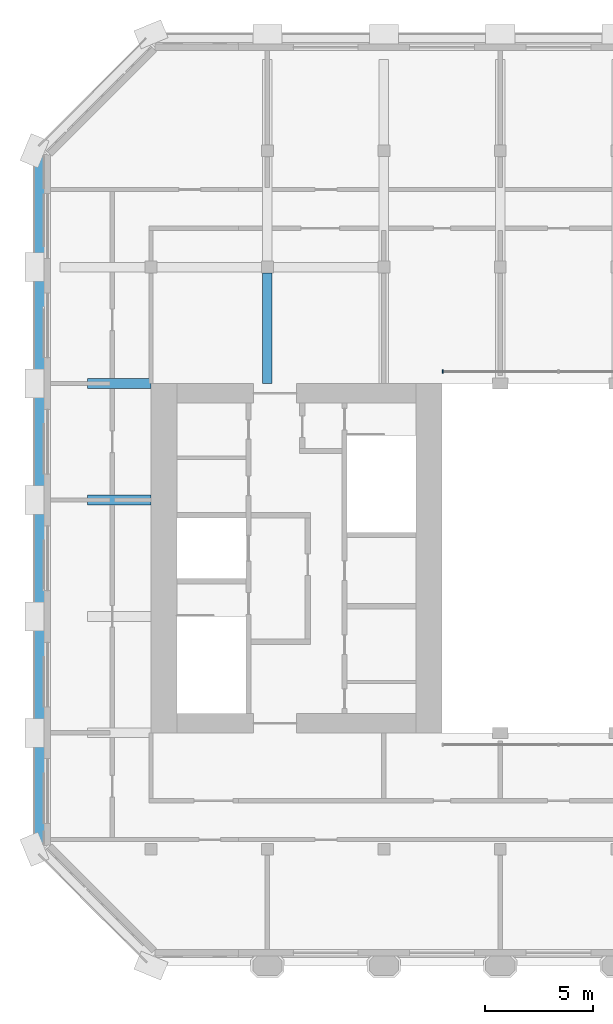
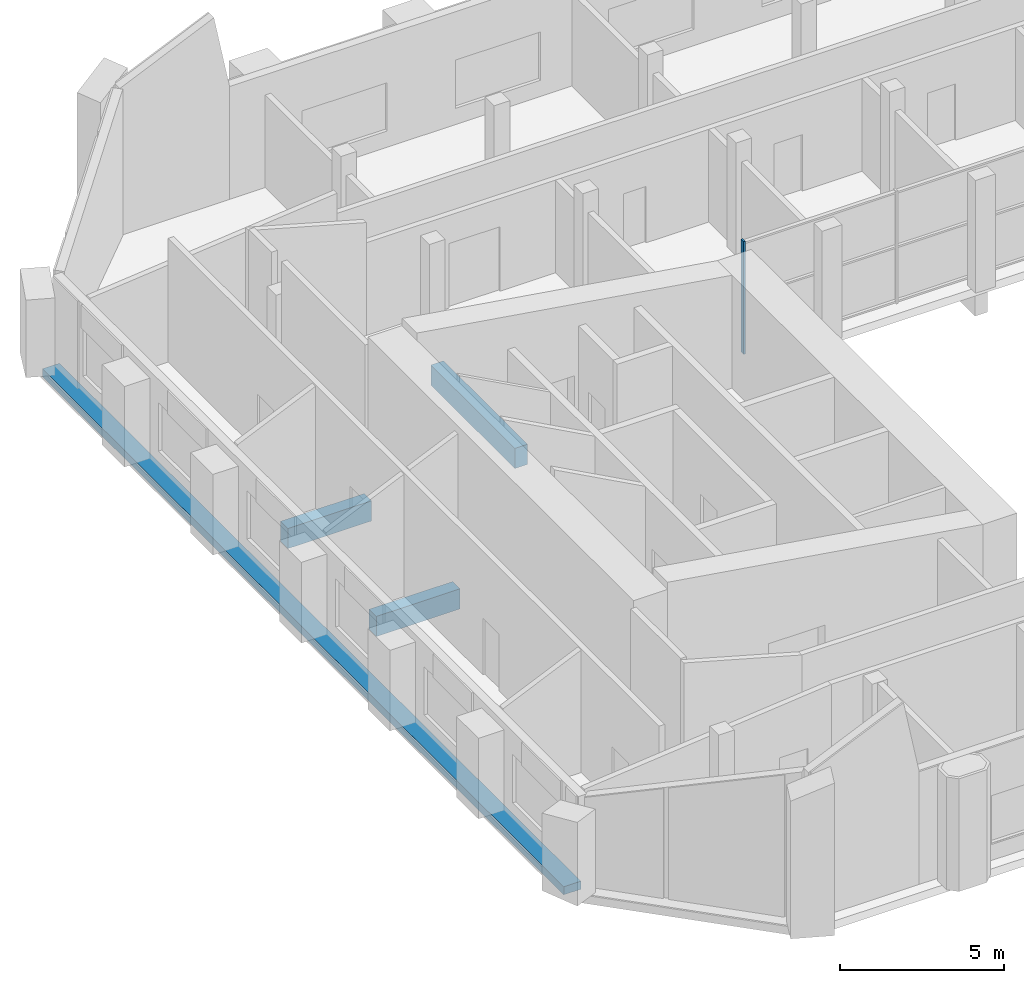
# One storey, part 3 of 11: 4 beams, 1 member, 1 element without a shape of its own.
"""IFC4 building model written with IfcOpenShell, lengths in metres."""

from ifc_helpers import new_model, si_unit, direction, frame, origin, origin_2d, place, context, subcontext, project, spatial, rectangle, extrude, material, material_profile, profile_set, type_object, element, aggregate, save


model = new_model("IFC4")

# Units and contexts
model_context = context("Model", 3, precision=1e-05, world=origin(), true_north=direction((0.0, 1.0)))
body_context = subcontext(model_context, "Body", "Model", "MODEL_VIEW")
ifc_project = project(units=[si_unit("LENGTHUNIT", "METRE"), si_unit("AREAUNIT", "SQUARE_METRE"), si_unit("VOLUMEUNIT", "CUBIC_METRE"), si_unit("PLANEANGLEUNIT", "RADIAN"), si_unit("MASSUNIT", "GRAM", prefix="KILO")], contexts=[model_context])

# Site, building, storey
site_placement = place(None, origin())
site = spatial("IfcSite", under=ifc_project, at=site_placement, CompositionType="ELEMENT")
building_placement = place(site_placement, origin())
building = spatial("IfcBuilding", under=site, at=building_placement, Name="Tabaq Tower and Sports Hall", CompositionType="ELEMENT")
storey_placement = place(building_placement, frame((0.0, 0.0, 321.699951171875)))
storey = spatial("IfcBuildingStorey", under=building, at=storey_placement, Name="L80", CompositionType="ELEMENT", Elevation=321.699951171875)

# Curtain wall, member
ifc_material_1 = material(Name="Aluminium alloy 6063-T6 framed glazing", Category="aluminium")
curtain_wall_type = type_object("IfcCurtainWallType", Name="CW1 curtain wall", PredefinedType="USERDEFINED", material=ifc_material_1)
curtain_wall_placement = place(storey_placement, origin())
curtain_wall = element("IfcCurtainWall", 1, at=curtain_wall_placement, inside=storey, type_object=curtain_wall_type, Name="Atrium glazing L80 N", ObjectType="ATRIUM ENCLOSURE", PredefinedType="USERDEFINED")
ifc_material_2 = material(Name="Aluminium alloy 6063-T6", Category="aluminium")
ifc_material_profile_1 = material_profile(ifc_material_2, rectangle(XDim=0.159912109375, YDim=0.06005859375, at=origin_2d()), Name="MULLION 160x60")
ifc_profile_set_1 = profile_set([ifc_material_profile_1], Name="Aluminium alloy 6063-T6")
member_type = type_object("IfcMemberType", Name="CW1 mullion 160x60", PredefinedType="MULLION", material=ifc_profile_set_1)
member_placement = place(storey_placement, frame((18.929931640625, 32.949951171875, 0.0), z_axis=(0.0, 0.0, 1.0), x_axis=(0.0, 1.0, 0.0)))
member = element("IfcMember", 2, at=member_placement, type_object=member_type, Name="CW1 mullion 1", PredefinedType="MULLION", context=body_context, shape_type="SweptSolid", body=[
    extrude(rectangle(XDim=0.159912109375, YDim=0.06005859375, at=origin_2d()), origin(), (0.0, 0.0, 1.0), 4.199951171875),
])
aggregate(curtain_wall, [member])

# Beams
ifc_material_3 = material(Name="Concrete C40/50", Category="concrete")
ifc_material_profile_2 = material_profile(ifc_material_3, rectangle(XDim=0.449951171875, YDim=0.75, at=origin_2d()), Name="CB 450x750")
ifc_profile_set_2 = profile_set([ifc_material_profile_2], Name="Concrete C40/50")
beam_type_1 = type_object("IfcBeamType", Name="PT CANTILEVER BEAM CB 450x750 C40/50", PredefinedType="BEAM", material=ifc_profile_set_2)
for number, where, z_axis, x_axis, name in (
    (3, (2.449951171875, 27.0, -0.675048828125), (1.0, 0.0, 0.0), (0.0, 1.0, 0.0), "Cantilever Beam L80 W5 span 1"),
    (4, (2.449951171875, 32.39990234375, -0.675048828125), (1.0, 0.0, 0.0), (0.0, 1.0, 0.0), "Cantilever Beam L80 W6 span 1"),
):
    element("IfcBeam", number, at=place(storey_placement, frame(where, z_axis=z_axis, x_axis=x_axis)), inside=storey, type_object=beam_type_1, Name=name, PredefinedType="BEAM", context=body_context, shape_type="SweptSolid", body=[
        extrude(rectangle(XDim=0.449951171875, YDim=0.75, at=origin_2d()), origin(), (0.0, 0.0, 1.0), 2.949951171875),
    ])
beam_1_placement = place(storey_placement, frame((10.800048828125, 37.52490234375, -0.675048828125), z_axis=(0.0, -1.0, 0.0), x_axis=(1.0, 0.0, 0.0)))
element("IfcBeam", 5, at=beam_1_placement, inside=storey, type_object=beam_type_1, Name="Cantilever Beam L80 N2 span 3", PredefinedType="BEAM", context=body_context, shape_type="SweptSolid", body=[
    extrude(rectangle(XDim=0.449951171875, YDim=0.75, at=origin_2d()), origin(), (0.0, 0.0, 1.0), 5.125),
])
ifc_material_4 = material(Name="Concrete C40/50", Category="concrete")
ifc_material_profile_3 = material_profile(ifc_material_4, rectangle(XDim=0.60009765625, YDim=0.300048828125, at=origin_2d()), Name="EB 600x300")
ifc_profile_set_3 = profile_set([ifc_material_profile_3], Name="Concrete C40/50")
beam_type_2 = type_object("IfcBeamType", Name="PT EDGE BEAM EB 600x300 C40/50", PredefinedType="SPANDREL", material=ifc_profile_set_3)
beam_2_placement = place(storey_placement, frame((0.300048828125, 42.9013671875, -0.14990234375), z_axis=(0.0, -1.0, 0.0), x_axis=(1.0, 0.0, 0.0)))
element("IfcBeam", 6, at=beam_2_placement, inside=storey, type_object=beam_type_2, Name="Edge Beam L80 4", PredefinedType="SPANDREL", context=body_context, shape_type="SweptSolid", body=[
    extrude(rectangle(XDim=0.60009765625, YDim=0.300048828125, at=origin_2d()), origin(), (0.0, 0.0, 1.0), 31.802734375),
])

save(model, "model.ifc")
